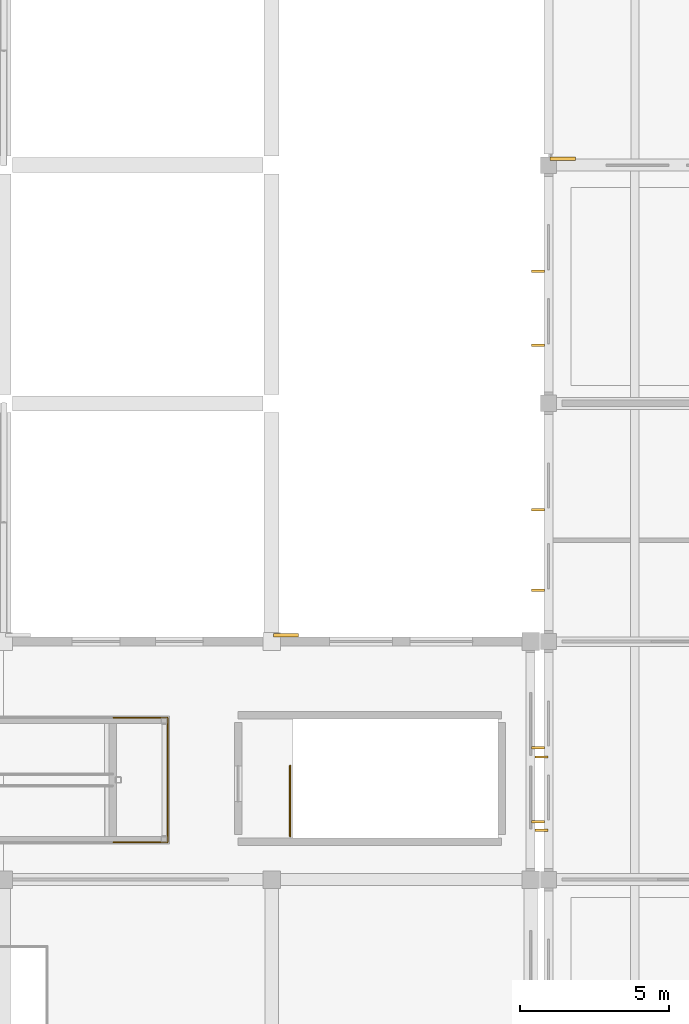
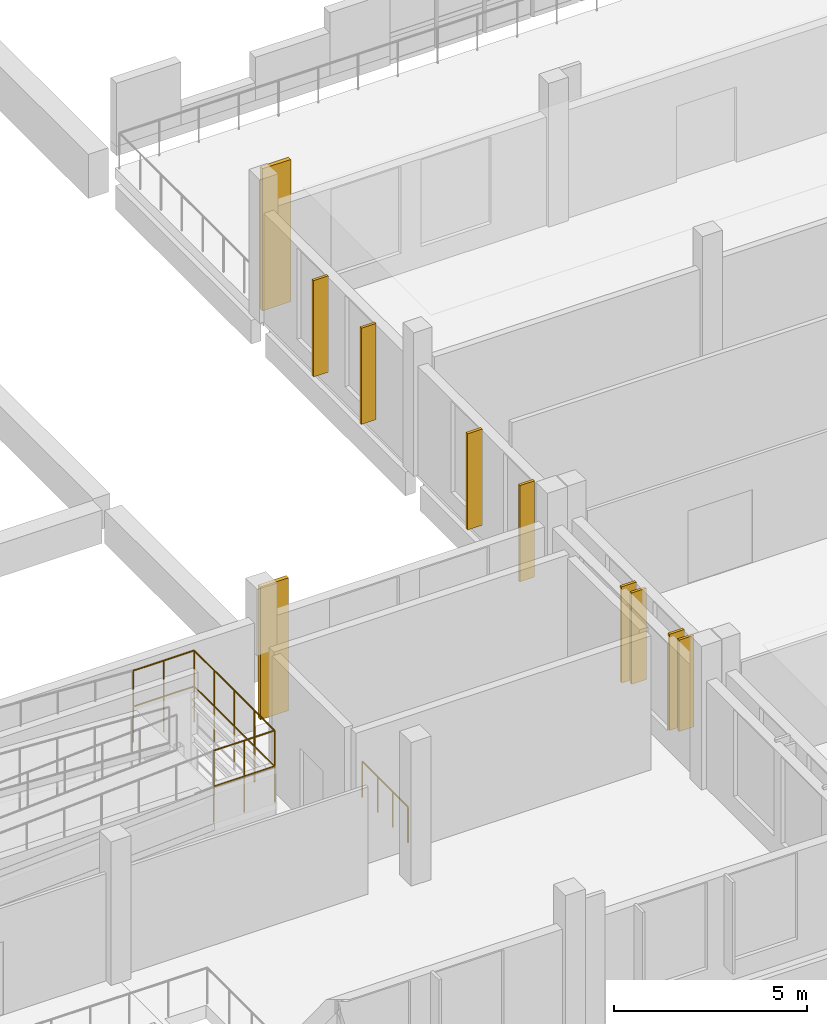
# One storey, part 51 of 63: 8 shading devices, 3 railings, 2 coverings.
"""IFC4 building model written with IfcOpenShell, lengths in metres."""

from ifc_helpers import new_model, si_unit, direction, frame, origin, origin_2d, place, context, subcontext, project, spatial, rectangle, circle, extrude, material, layer, layer_set, type_object, element, save


model = new_model("IFC4")

# Units and contexts
model_context = context("Model", 3, precision=1e-05, world=origin(), true_north=direction((0.0, 1.0)))
body_context = subcontext(model_context, "Body", "Model", "MODEL_VIEW")
ifc_project = project(units=[si_unit("LENGTHUNIT", "METRE"), si_unit("AREAUNIT", "SQUARE_METRE"), si_unit("VOLUMEUNIT", "CUBIC_METRE"), si_unit("PLANEANGLEUNIT", "RADIAN"), si_unit("MASSUNIT", "GRAM", prefix="KILO")], contexts=[model_context])

# Site, building, storey
site_placement = place(None, origin())
site = spatial("IfcSite", under=ifc_project, at=site_placement, CompositionType="ELEMENT")
building_placement = place(site_placement, origin())
building = spatial("IfcBuilding", under=site, at=building_placement, Name="Zacnel Wholesale Market", CompositionType="ELEMENT")
storey_placement = place(building_placement, frame((0.0, 0.0, 11.199951171875)))
storey = spatial("IfcBuildingStorey", under=building, at=storey_placement, Name="L03", CompositionType="ELEMENT", Elevation=11.199951171875)

# Coverings
ifc_material_1 = material(Name="Honed Yucatan Maya cream limestone", Category="masonry")
ifc_layer = layer(ifc_material_1, 0.090087890625)
ifc_layer_set = layer_set([ifc_layer], Name="Honed Yucatan Maya cream limestone")
covering_type = type_object("IfcCoveringType", Name="COV-CLAD-FRET", PredefinedType="CLADDING", material=ifc_layer_set)
covering_1_placement = place(storey_placement, frame((135.47998046875, 24.2099609375, 0.02001953125), z_axis=(0.0, 0.0, 1.0), x_axis=(1.0, 0.0, 0.0)))
element("IfcCovering", 1, at=covering_1_placement, inside=storey, type_object=covering_type, Name="Fluted Mayan-Deco limestone pilaster L03-0191", PredefinedType="CLADDING", context=body_context, shape_type="SweptSolid", body=[
    extrude(rectangle(XDim=0.85009765625, YDim=0.1201171875, at=origin_2d()), origin(), (0.0, 0.0, 1.0), 4.2099609375),
])
covering_2_placement = place(storey_placement, frame((144.780029296875, 40.2099609375, 0.02001953125), z_axis=(0.0, 0.0, 1.0), x_axis=(1.0, 0.0, 0.0)))
element("IfcCovering", 2, at=covering_2_placement, inside=storey, type_object=covering_type, Name="Fluted Mayan-Deco limestone pilaster L03-0200", PredefinedType="CLADDING", context=body_context, shape_type="SweptSolid", body=[
    extrude(rectangle(XDim=0.85009765625, YDim=0.1201171875, at=origin_2d()), origin(), (0.0, 0.0, 1.0), 4.510009765625),
])

# Railings
ifc_material_2 = material(Name="Galvanized steel", Category="steel")
railing_type = type_object("IfcRailingType", Name="RAL-STAIR-GD1150", PredefinedType="BALUSTRADE", material=ifc_material_2)
railing_placement = place(storey_placement, frame((135.6201171875, 17.4599609375, 0.0)))
element("IfcRailing", 3, at=railing_placement, inside=storey, type_object=railing_type, Name="Stair balustrade INT-STAIR-ST-25-GDWELL-1", PredefinedType="BALUSTRADE", context=body_context, shape_type="SweptSolid", body=[
    extrude(circle(Radius=0.02392578125, at=origin_2d()), frame((0.0, 0.0, 1.1259765625), z_axis=(0.0, 1.0, 0.0), x_axis=(-1.0, 0.0, 0.0)), (0.0, 0.0, 1.0), 2.3701171875),
    extrude(circle(Radius=0.02099609375, at=origin_2d()), origin(), (0.0, 0.0, 1.0), 1.101806640625),
    extrude(circle(Radius=0.02099609375, at=origin_2d()), frame((0.0, 0.7900390625, 0.0)), (0.0, 0.0, 1.0), 1.101806640625),
    extrude(circle(Radius=0.02099609375, at=origin_2d()), frame((0.0, 1.580078125, 0.0)), (0.0, 0.0, 1.0), 1.101806640625),
    extrude(circle(Radius=0.02099609375, at=origin_2d()), frame((0.0, 2.3701171875, 0.0)), (0.0, 0.0, 1.0), 1.101806640625),
])
for number, where, name in (
    (4, (129.676025390625, 17.260009765625, 2.84375), "Accessible ramp RP-05 (RMP-PROM-3) landing balustrade 5"),
    (5, (129.676025390625, 17.260009765625, 3.9814453125), "Accessible ramp RP-05 (RMP-PROM-3) landing balustrade 7"),
):
    element("IfcRailing", number, at=place(storey_placement, frame(where)), inside=storey, type_object=railing_type, Name=name, PredefinedType="BALUSTRADE", context=body_context, shape_type="SweptSolid", body=[
        extrude(circle(Radius=0.0224609375, at=origin_2d()), frame((0.0, 0.0, 1.12744140625), z_axis=(1.0, 0.0, 0.0), x_axis=(0.0, 1.0, 0.0)), (0.0, 0.0, 1.0), 1.830078125),
        extrude(circle(Radius=0.0224609375, at=origin_2d()), frame((1.830078125, 0.0, 1.12744140625), z_axis=(0.0, 1.0, 0.0), x_axis=(-1.0, 0.0, 0.0)), (0.0, 0.0, 1.0), 4.179931640625),
        extrude(circle(Radius=0.0224609375, at=origin_2d()), frame((1.830078125, 4.179931640625, 1.12744140625), z_axis=(-1.0, 0.0, 0.0), x_axis=(0.0, -1.0, 0.0)), (0.0, 0.0, 1.0), 1.830078125),
        extrude(circle(Radius=0.02001953125, at=origin_2d()), origin(), (0.0, 0.0, 1.0), 1.10498046875),
        extrude(circle(Radius=0.02001953125, at=origin_2d()), frame((0.9150390625, 0.0, 0.0)), (0.0, 0.0, 1.0), 1.10498046875),
        extrude(circle(Radius=0.02001953125, at=origin_2d()), frame((1.830078125, 0.0, 0.0)), (0.0, 0.0, 1.0), 1.10498046875),
        extrude(circle(Radius=0.02001953125, at=origin_2d()), frame((1.830078125, 1.044921875, 0.0)), (0.0, 0.0, 1.0), 1.10498046875),
        extrude(circle(Radius=0.02001953125, at=origin_2d()), frame((1.830078125, 2.08984375, 0.0)), (0.0, 0.0, 1.0), 1.10498046875),
        extrude(circle(Radius=0.02001953125, at=origin_2d()), frame((1.830078125, 3.135009765625, 0.0)), (0.0, 0.0, 1.0), 1.10498046875),
        extrude(circle(Radius=0.02001953125, at=origin_2d()), frame((1.830078125, 4.179931640625, 0.0)), (0.0, 0.0, 1.0), 1.10498046875),
        extrude(circle(Radius=0.02001953125, at=origin_2d()), frame((0.9150390625, 4.179931640625, 0.0)), (0.0, 0.0, 1.0), 1.10498046875),
        extrude(circle(Radius=0.02001953125, at=origin_2d()), frame((0.0, 4.179931640625, 0.0)), (0.0, 0.0, 1.0), 1.10498046875),
    ])

# Shading devices
ifc_material_3 = material(Name="Honed Yucatan Maya cream limestone", Category="masonry")
shading_device_type = type_object("IfcShadingDeviceType", Name="SHD-FIN-V450", PredefinedType="USERDEFINED", material=ifc_material_3)
for number, where, z_axis, x_axis, name in (
    (6, (144.06005859375, 17.656982421875, 0.53515625), (0.0, 0.0, 1.0), (0.0, 1.0, 0.0), "Limestone sunshade fin 0223"),
    (7, (144.06005859375, 20.123046875, 0.53515625), (0.0, 0.0, 1.0), (0.0, 1.0, 0.0), "Limestone sunshade fin 0224"),
):
    element("IfcShadingDevice", number, at=place(storey_placement, frame(where, z_axis=z_axis, x_axis=x_axis)), inside=storey, type_object=shading_device_type, Name=name, ObjectType="SUNSHADE", PredefinedType="USERDEFINED", context=body_context, shape_type="SweptSolid", body=[
        extrude(rectangle(XDim=0.080078125, YDim=0.43994140625, at=origin_2d()), origin(), (0.0, 0.0, 1.0), 2.89990234375),
    ])
for number, where, z_axis, x_axis, name in (
    (8, (143.93994140625, 17.947998046875, 0.43505859375), (0.0, 0.0, 1.0), (0.0, 1.0, 0.0), "Limestone sunshade fin 0243"),
    (9, (143.93994140625, 20.431884765625, 0.43505859375), (0.0, 0.0, 1.0), (0.0, 1.0, 0.0), "Limestone sunshade fin 0244"),
    (10, (143.93994140625, 25.719970703125, 0.43505859375), (0.0, 0.0, 1.0), (0.0, 1.0, 0.0), "Limestone sunshade fin 0245"),
    (11, (143.93994140625, 28.431884765625, 0.43505859375), (0.0, 0.0, 1.0), (0.0, 1.0, 0.0), "Limestone sunshade fin 0246"),
    (12, (143.93994140625, 33.947998046875, 0.43505859375), (0.0, 0.0, 1.0), (0.0, 1.0, 0.0), "Limestone sunshade fin 0247"),
    (13, (143.93994140625, 36.431884765625, 0.43505859375), (0.0, 0.0, 1.0), (0.0, 1.0, 0.0), "Limestone sunshade fin 0248"),
):
    element("IfcShadingDevice", number, at=place(storey_placement, frame(where, z_axis=z_axis, x_axis=x_axis)), inside=storey, type_object=shading_device_type, Name=name, ObjectType="SUNSHADE", PredefinedType="USERDEFINED", context=body_context, shape_type="SweptSolid", body=[
        extrude(rectangle(XDim=0.080078125, YDim=0.43994140625, at=origin_2d()), origin(), (0.0, 0.0, 1.0), 3.050048828125),
    ])

save(model, "model.ifc")
